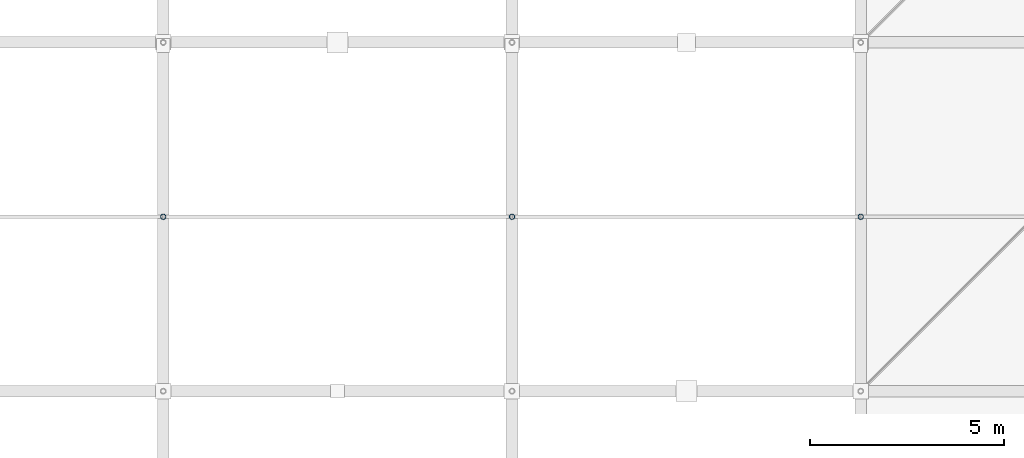
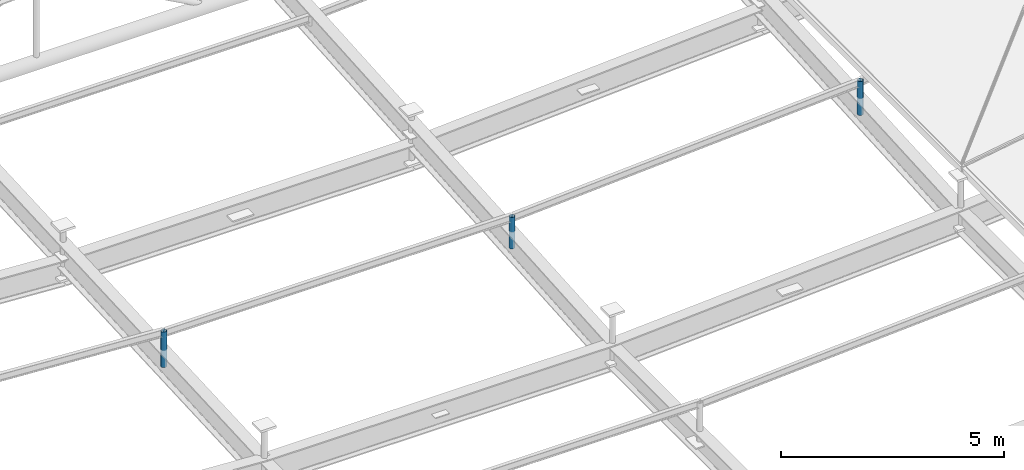
# One storey, part 66 of 80: 3 members.
"""IFC4 building model written with IfcOpenShell, lengths in metres."""

import ifcopenshell
import ifcopenshell.guid

model = None  # the IFC model being written
_history = None  # IfcOwnerHistory: only IFC2X3 demands one
_inside = {}  # id of a spatial element -> (the spatial element, [elements in it])
_under = {}  # id of a project, library or spatial element -> (it, [spatial elements below it])
_declared = {}  # id of a project -> (the project, [libraries it declares])
_typed = {}  # id of a type object -> (the type object, [elements of that type])
_made_of = {}  # id of a material, layer set ... -> (it, [elements and type objects made of it])


def new_model(schema):
    """Start an empty IFC model of exactly this schema.

    Asked for "IFC4X3", IfcOpenShell would pick the latest addendum, in which some entities
    have other attributes; the version numbers below select the first issue.
    IFC2X3 requires an IfcOwnerHistory on every rooted entity: one is made here for all.
    """
    global model, _history
    if schema == "IFC4X3":
        model = ifcopenshell.file(schema_version=(4, 3, 0, 0))
    else:
        model = ifcopenshell.file(schema=schema)
    _inside.clear()
    _under.clear()
    _declared.clear()
    _typed.clear()
    _made_of.clear()
    _history = None
    if model.schema == "IFC2X3":
        org = make("IfcOrganization", Name="unknown")
        user = make(
            "IfcPersonAndOrganization",
            ThePerson=make("IfcPerson", FamilyName="unknown"),
            TheOrganization=org,
        )
        app = make(
            "IfcApplication",
            ApplicationDeveloper=org,
            Version="unknown",
            ApplicationFullName="unknown",
            ApplicationIdentifier="unknown",
        )
        _history = make(
            "IfcOwnerHistory",
            OwningUser=user,
            OwningApplication=app,
            ChangeAction="ADDED",
            CreationDate=0,
        )
    return model


def make(cls, **values):
    """One entity of the class cls with the attributes given. An attribute that is None is left unset."""
    return model.create_entity(
        cls, **{name: value for name, value in values.items() if value is not None}
    )


def rooted(cls, **values):
    """An entity with a GlobalId (a new one), such as an element, a storey or a relation."""
    return make(cls, GlobalId=ifcopenshell.guid.new(), OwnerHistory=_history, **values)


def si_unit(unit_type, name, prefix=None):
    """IfcSIUnit, for example si_unit("LENGTHUNIT", "METRE", prefix="MILLI")."""
    return make("IfcSIUnit", UnitType=unit_type, Prefix=prefix, Name=name)


def assignment(units):
    """IfcUnitAssignment: the units of a project."""
    return None if units is None else make("IfcUnitAssignment", Units=units)


def point(xyz):
    """IfcCartesianPoint."""
    return None if xyz is None else make("IfcCartesianPoint", Coordinates=xyz)


def direction(xyz):
    """IfcDirection."""
    return None if xyz is None else make("IfcDirection", DirectionRatios=xyz)


def frame(location, z_axis=None, x_axis=None):
    """IfcAxis2Placement3D, a coordinate frame: its origin and axes. An axis left out is left unset."""
    return make(
        "IfcAxis2Placement3D",
        Location=point(location),
        Axis=direction(z_axis),
        RefDirection=direction(x_axis),
    )


def frame_2d(location, x_axis=None):
    """IfcAxis2Placement2D, a coordinate frame in the plane: its origin and x axis."""
    return make(
        "IfcAxis2Placement2D", Location=point(location), RefDirection=direction(x_axis)
    )


def origin():
    """The frame at (0, 0, 0) with its axes left unset."""
    return frame((0.0, 0.0, 0.0))


def origin_2d():
    """The frame at (0, 0) in the plane with its x axis left unset."""
    return frame_2d((0.0, 0.0))


def place(relative_to, where):
    """IfcLocalPlacement: puts the frame where relative to a parent placement (None: the world)."""
    return make(
        "IfcLocalPlacement", PlacementRelTo=relative_to, RelativePlacement=where
    )


def context(
    kind, dimensions, precision=None, world=None, true_north=None, identifier=None
):
    """IfcGeometricRepresentationContext, for example the 3D "Model" context."""
    return make(
        "IfcGeometricRepresentationContext",
        ContextIdentifier=identifier,
        ContextType=kind,
        CoordinateSpaceDimension=dimensions,
        Precision=precision,
        WorldCoordinateSystem=world,
        TrueNorth=true_north,
    )


def subcontext(parent, identifier, kind, view, scale=None):
    """IfcGeometricRepresentationSubContext, for example "Body" below "Model"."""
    return make(
        "IfcGeometricRepresentationSubContext",
        ContextIdentifier=identifier,
        ContextType=kind,
        ParentContext=parent,
        TargetScale=scale,
        TargetView=view,
    )


def project(units=None, contexts=None):
    """IfcProject with its units and contexts."""
    return rooted(
        "IfcProject",
        Name="project",
        RepresentationContexts=contexts,
        UnitsInContext=assignment(units),
    )


def spatial(cls, under=None, at=None, **own):
    """A site, building, storey or space (cls), placed at a placement, below another one or the project."""
    s = rooted(cls, ObjectPlacement=at, **own)
    if under is not None:
        _under.setdefault(under.id(), (under, []))[1].append(s)
    return s


def profile(cls, at=None, kind="AREA", **sizes):
    """A parametric profile (cls). Its sizes go by their IFC names, for example OverallWidth=200.0."""
    return make(cls, ProfileType=kind, Position=at, **sizes)


def hollow_circle(**sizes):
    """IfcCircleHollowProfileDef."""
    return profile("IfcCircleHollowProfileDef", **sizes)


def extrude(swept, where, along, depth):
    """IfcExtrudedAreaSolid: the profile swept, set in the frame where, extruded along a direction by depth."""
    return make(
        "IfcExtrudedAreaSolid",
        SweptArea=swept,
        Position=where,
        ExtrudedDirection=direction(along),
        Depth=depth,
    )


def shape(context_of_items, identifier, shape_type, items):
    """IfcShapeRepresentation: the items that make up one representation, for example the "Body"."""
    return make(
        "IfcShapeRepresentation",
        ContextOfItems=context_of_items,
        RepresentationIdentifier=identifier,
        RepresentationType=shape_type,
        Items=items,
    )


def material(Name=None, Category=None):
    """IfcMaterial."""
    return make("IfcMaterial", Name=Name, Category=Category)


def material_profile(
    of_material, cross_section, Name=None, Category=None, Priority=None
):
    """IfcMaterialProfile: a cross section and its material."""
    return make(
        "IfcMaterialProfile",
        Name=Name,
        Material=of_material,
        Profile=cross_section,
        Priority=Priority,
        Category=Category,
    )


def profile_set(profiles, Name=None, composite=None):
    """IfcMaterialProfileSet."""
    return make(
        "IfcMaterialProfileSet",
        Name=Name,
        MaterialProfiles=profiles,
        CompositeProfile=composite,
    )


def made_of(thing, what):
    """Note that an element or type object is made of a material, layer set ...; save() writes the relation."""
    if what is not None:
        _made_of.setdefault(what.id(), (what, []))[1].append(thing)
    return thing


def type_object(cls, material=None, **own):
    """A type object (cls), such as IfcWallType, which elements share."""
    return made_of(rooted(cls, **own), material)


def element(
    cls,
    number,
    at=None,
    inside=None,
    cuts=None,
    type_object=None,
    material=None,
    context=None,
    identifier="Body",
    shape_type=None,
    held_by="IfcProductDefinitionShape",
    body=None,
    shapes=None,
    **own,
):
    """One element of the class cls, such as IfcWall. Its Tag is "e" and its number.

    at: its placement. inside: the storey or other place that contains it. cuts: it is an
    opening in that element (IfcRelVoidsElement). A single representation is given by context,
    identifier, shape_type and body (its items); several are given by shapes. held_by: the class
    of the entity that holds the representations. save() writes the other relations.
    """
    e = rooted(cls, Tag="e%d" % number, ObjectPlacement=at, **own)
    if body is not None:
        shapes = [shape(context, identifier, shape_type, body)]
    if shapes is not None:
        e.Representation = make(held_by, Representations=shapes)
    if inside is not None:
        _inside.setdefault(inside.id(), (inside, []))[1].append(e)
    if cuts is not None:
        rooted(
            "IfcRelVoidsElement", RelatingBuildingElement=cuts, RelatedOpeningElement=e
        )
    if type_object is not None:
        _typed.setdefault(type_object.id(), (type_object, []))[1].append(e)
    return made_of(e, material)


def aggregate(whole, parts):
    """IfcRelAggregates: a whole, such as a stair, and the parts it consists of."""
    return rooted("IfcRelAggregates", RelatingObject=whole, RelatedObjects=parts)


def save(model, path):
    """Write the relations noted so far, then the file.

    IfcRelAggregates (storeys below a building ...), IfcRelContainedInSpatialStructure (elements
    in a storey), IfcRelDefinesByType, IfcRelAssociatesMaterial and IfcRelDeclares: one each for
    every whole, place, type object, material and project.
    """
    for whole, parts in _under.values():
        aggregate(whole, parts)
    for where, things in _inside.values():
        rooted(
            "IfcRelContainedInSpatialStructure",
            RelatedElements=things,
            RelatingStructure=where,
        )
    for kind, things in _typed.values():
        rooted("IfcRelDefinesByType", RelatedObjects=things, RelatingType=kind)
    for what, things in _made_of.values():
        rooted("IfcRelAssociatesMaterial", RelatedObjects=things, RelatingMaterial=what)
    for by, libraries in _declared.values():
        rooted("IfcRelDeclares", RelatingContext=by, RelatedDefinitions=libraries)
    model.write(path)


model = new_model("IFC4")

# Units and contexts
model_context = context("Model", 3, precision=1e-05, world=origin(), true_north=direction((0.0, 1.0)))
body_context = subcontext(model_context, "Body", "Model", "MODEL_VIEW")
ifc_project = project(units=[si_unit("LENGTHUNIT", "METRE"), si_unit("AREAUNIT", "SQUARE_METRE"), si_unit("VOLUMEUNIT", "CUBIC_METRE"), si_unit("PLANEANGLEUNIT", "RADIAN"), si_unit("MASSUNIT", "GRAM", prefix="KILO")], contexts=[model_context])

# Site, building, storey
site_placement = place(None, origin())
site = spatial("IfcSite", under=ifc_project, at=site_placement, CompositionType="ELEMENT")
building_placement = place(site_placement, origin())
building = spatial("IfcBuilding", under=site, at=building_placement, Name="Barlavento Convention Centre", CompositionType="ELEMENT")
storey_placement = place(building_placement, frame((0.0, 0.0, 29.800048828125)))
storey = spatial("IfcBuildingStorey", under=building, at=storey_placement, Name="RF", CompositionType="ELEMENT", Elevation=29.800048828125)

# Members
ifc_material = material(Name="Steel S355", Category="steel")
ifc_material_profile = material_profile(ifc_material, hollow_circle(Radius=0.06982421875, WallThickness=0.008056640625, at=origin_2d()), Name="CHS 139.7x8.0")
ifc_profile_set = profile_set([ifc_material_profile], Name="Steel S355")
member_type = type_object("IfcMemberType", Name="STR-MEM-DIAG-CHS139", PredefinedType="BRACE", material=ifc_profile_set)
member_1_placement = place(storey_placement, frame((27.0, 4.5, -1.69384765625), z_axis=(0.0, 0.0, 1.0), x_axis=(1.0, 0.0, 0.0)))
element("IfcMember", 1, at=member_1_placement, inside=storey, type_object=member_type, Name="Congress space frame vertical node post TD04", PredefinedType="BRACE", context=body_context, shape_type="SweptSolid", body=[
    extrude(hollow_circle(Radius=0.06982421875, WallThickness=0.008056640625, at=origin_2d()), origin(), (0.0, 0.0, 1.0), 0.970703125),
])
member_2_placement = place(storey_placement, frame((36.0, 4.5, -1.60498046875), z_axis=(0.0, 0.0, 1.0), x_axis=(1.0, 0.0, 0.0)))
element("IfcMember", 2, at=member_2_placement, inside=storey, type_object=member_type, Name="Congress space frame vertical node post TD04", PredefinedType="BRACE", context=body_context, shape_type="SweptSolid", body=[
    extrude(hollow_circle(Radius=0.06982421875, WallThickness=0.008056640625, at=origin_2d()), origin(), (0.0, 0.0, 1.0), 0.866943359375),
])
member_3_placement = place(storey_placement, frame((45.0, 4.5, -1.109130859375), z_axis=(0.0, 0.0, 1.0), x_axis=(1.0, 0.0, 0.0)))
element("IfcMember", 3, at=member_3_placement, inside=storey, type_object=member_type, Name="Congress space frame vertical node post TD04", PredefinedType="BRACE", context=body_context, shape_type="SweptSolid", body=[
    extrude(hollow_circle(Radius=0.06982421875, WallThickness=0.008056640625, at=origin_2d()), origin(), (0.0, 0.0, 1.0), 0.931884765625),
])

save(model, "model.ifc")
